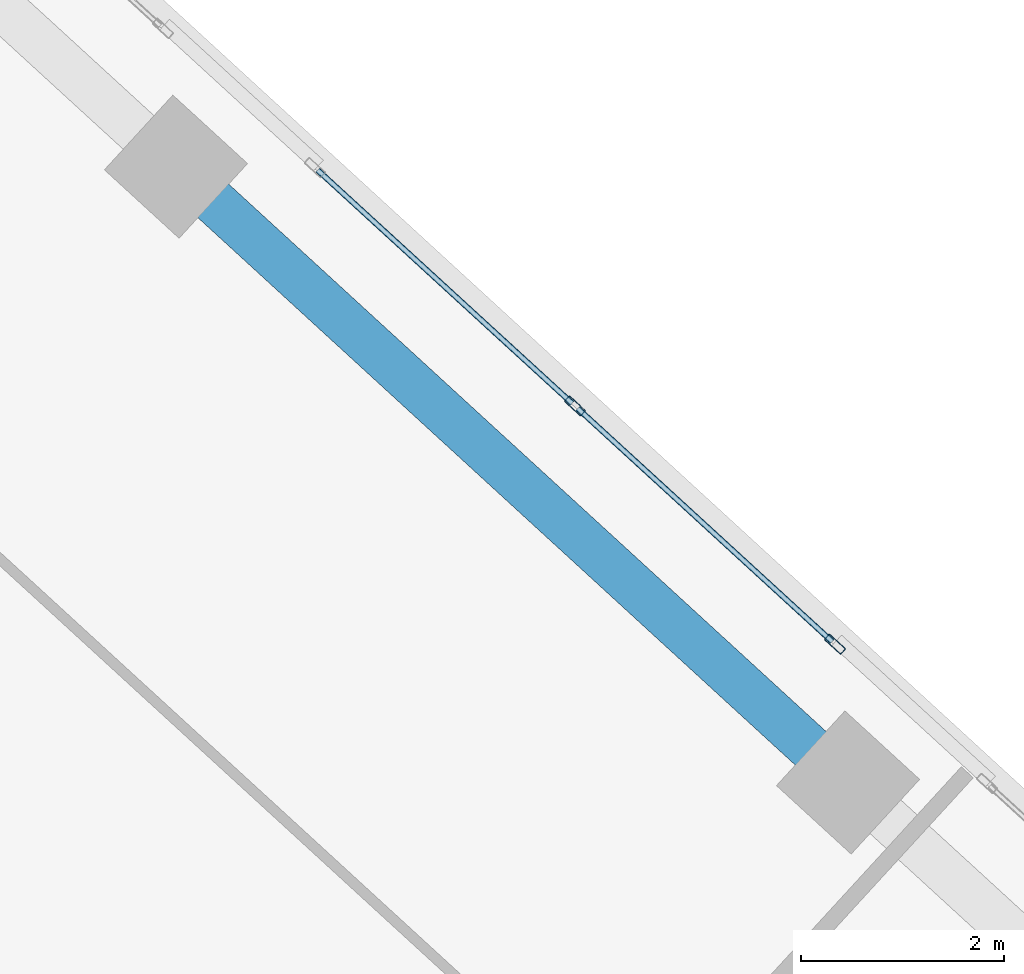
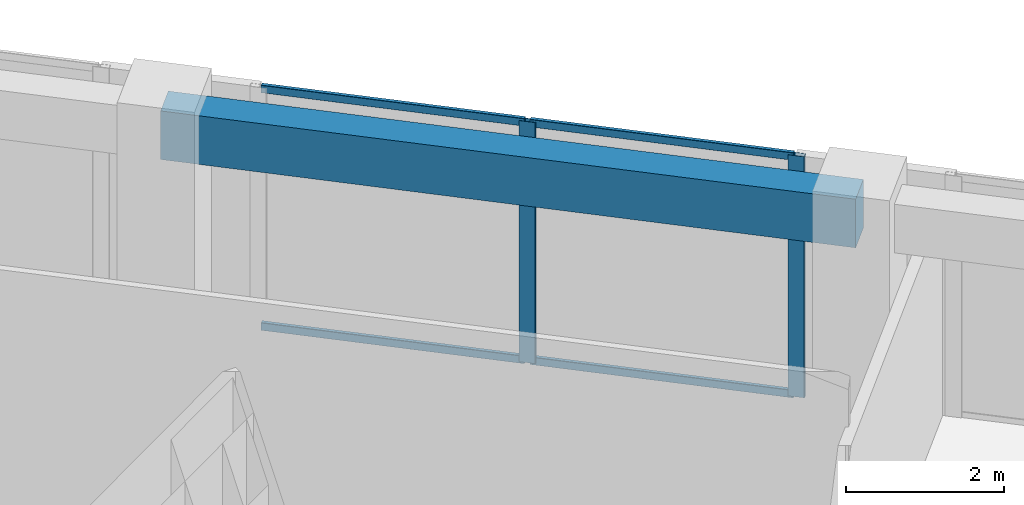
# One storey, part 12 of 18: 6 members, 1 beam, 1 element without a shape of its own.
"""IFC4 building model written with IfcOpenShell, lengths in metres."""

from ifc_helpers import new_model, si_unit, direction, frame, origin, origin_2d, place, context, subcontext, project, spatial, rectangle, hollow_rectangle, extrude, source, transform, mapped, material, material_profile, profile_set, type_object, element, aggregate, save


model = new_model("IFC4")

# Units and contexts
model_context = context("Model", 3, precision=1e-05, world=origin(), true_north=direction((0.0, 1.0)))
body_context = subcontext(model_context, "Body", "Model", "MODEL_VIEW")
ifc_project = project(units=[si_unit("LENGTHUNIT", "METRE"), si_unit("AREAUNIT", "SQUARE_METRE"), si_unit("VOLUMEUNIT", "CUBIC_METRE"), si_unit("PLANEANGLEUNIT", "RADIAN"), si_unit("MASSUNIT", "GRAM", prefix="KILO")], contexts=[model_context])

# Site, building, storey
site_placement = place(None, origin())
site = spatial("IfcSite", under=ifc_project, at=site_placement, CompositionType="ELEMENT")
building_placement = place(site_placement, origin())
building = spatial("IfcBuilding", under=site, at=building_placement, Name="Torre Montelarca", CompositionType="ELEMENT")
storey_placement = place(building_placement, frame((0.0, 0.0, 233.199951171875)))
storey = spatial("IfcBuildingStorey", under=building, at=storey_placement, Name="L52", CompositionType="ELEMENT", Elevation=233.199951171875)

# Beam
ifc_material_1 = material(Name="Concrete C55/67", Category="concrete")
ifc_material_profile_1 = material_profile(ifc_material_1, rectangle(XDim=0.449951171875, YDim=0.75, at=origin_2d()), Name="RCB450X750", Category="concrete")
ifc_profile_set_1 = profile_set([ifc_material_profile_1], Name="Concrete C55/67")
beam_type = type_object("IfcBeamType", Name="BM-SP-RC750-EXT", PredefinedType="SPANDREL", material=ifc_profile_set_1)
shared_shape_1 = source(origin(), body_context, "Body", "SweptSolid", [
    extrude(rectangle(XDim=0.449951171875, YDim=0.75, at=origin_2d()), origin(), (0.0, 0.0, 1.0), 8.999755859375),
])
beam_placement = place(storey_placement, frame((29.15478515625, 45.5341796875, 3.5849609375), z_axis=(0.737290375454, -0.675575978157, 0.0), x_axis=(0.675575978157, 0.737290375454, 0.0)))
element("IfcBeam", 1, at=beam_placement, inside=storey, type_object=beam_type, Name="L52 Grid Girder X 18.0-27.0 at Y=47.1", PredefinedType="SPANDREL", context=body_context, shape_type="MappedRepresentation", body=[
    mapped(shared_shape_1, transform((0.0, 0.0, 0.0), scale=1.0)),
])

# Curtain wall, members
ifc_material_2 = material(Name="Insulated low-E laminated glass", Category="glass")
curtain_wall_type = type_object("IfcCurtainWallType", Name="CW-SYS-Z3", PredefinedType="USERDEFINED", material=ifc_material_2)
curtain_wall_placement = place(storey_placement, origin())
curtain_wall = element("IfcCurtainWall", 2, at=curtain_wall_placement, inside=storey, type_object=curtain_wall_type, Name="L52 Curtain Wall Run CW-T3-L52-E08-B3", ObjectType="UNITISED GLAZING", PredefinedType="USERDEFINED")
ifc_material_3 = material(Name="Anodised aluminium AA 6063-T6", Category="aluminium")
ifc_material_profile_2 = material_profile(ifc_material_3, hollow_rectangle(XDim=0.054931640625, YDim=0.1201171875, WallThickness=0.00341796875, InnerFilletRadius=0.00341796875, OuterFilletRadius=0.007080078125, at=origin_2d()), Name="ALU55X120X3.5", Category="aluminium")
ifc_profile_set_2 = profile_set([ifc_material_profile_2], Name="Anodised aluminium AA 6063-T6")
member_type_1 = type_object("IfcMemberType", Name="CWT-ALU120", PredefinedType="USERDEFINED", material=ifc_profile_set_2)
shared_shape_2 = source(origin(), body_context, "Body", "SweptSolid", [
    extrude(hollow_rectangle(XDim=0.054931640625, YDim=0.1201171875, WallThickness=0.00341796875, InnerFilletRadius=0.00341796875, OuterFilletRadius=0.007080078125, at=origin_2d()), origin(), (0.0, 0.0, 1.0), 3.407470703125),
])
member_1_placement = place(storey_placement, frame((35.6337890625, 40.844970703125, 0.027587890625), z_axis=(-0.73724335405, 0.675627291418, 0.0), x_axis=(-0.675627291418, -0.73724335405, 0.0)))
member_1 = element("IfcMember", 3, at=member_1_placement, type_object=member_type_1, Name="CW transom 1.1", ObjectType="TRANSOM", PredefinedType="USERDEFINED", context=body_context, shape_type="MappedRepresentation", body=[
    mapped(shared_shape_2, transform((0.0, 0.0, 0.0), scale=1.0)),
])
member_2_placement = place(storey_placement, frame((35.6337890625, 40.844970703125, 3.692626953125), z_axis=(-0.73724335405, 0.675627291418, 0.0), x_axis=(-0.675627291418, -0.73724335405, 0.0)))
member_2 = element("IfcMember", 4, at=member_2_placement, type_object=member_type_1, Name="CW transom 1.2", ObjectType="TRANSOM", PredefinedType="USERDEFINED", context=body_context, shape_type="MappedRepresentation", body=[
    mapped(shared_shape_2, transform((0.0, 0.0, 0.0), scale=1.0)),
])
member_3_placement = place(storey_placement, frame((33.06640625, 43.19775390625, 0.027587890625), z_axis=(-0.737279042037, 0.675588346683, 0.0), x_axis=(-0.675588346683, -0.737279042037, 0.0)))
member_3 = element("IfcMember", 5, at=member_3_placement, type_object=member_type_1, Name="CW transom 2.1", ObjectType="TRANSOM", PredefinedType="USERDEFINED", context=body_context, shape_type="MappedRepresentation", body=[
    mapped(shared_shape_2, transform((0.0, 0.0, 0.0), scale=1.0)),
])
member_4_placement = place(storey_placement, frame((33.06640625, 43.19775390625, 3.692626953125), z_axis=(-0.737279042037, 0.675588346683, 0.0), x_axis=(-0.675588346683, -0.737279042037, 0.0)))
member_4 = element("IfcMember", 6, at=member_4_placement, type_object=member_type_1, Name="CW transom 2.2", ObjectType="TRANSOM", PredefinedType="USERDEFINED", context=body_context, shape_type="MappedRepresentation", body=[
    mapped(shared_shape_2, transform((0.0, 0.0, 0.0), scale=1.0)),
])
ifc_material_profile_3 = material_profile(ifc_material_3, hollow_rectangle(XDim=0.074951171875, YDim=0.219970703125, WallThickness=0.0048828125, InnerFilletRadius=0.0048828125, OuterFilletRadius=0.010009765625, at=origin_2d()), Name="ALU75X220X5", Category="aluminium")
ifc_profile_set_3 = profile_set([ifc_material_profile_3], Name="Anodised aluminium AA 6063-T6")
member_type_2 = type_object("IfcMemberType", Name="CWM-ALU220", PredefinedType="MULLION", material=ifc_profile_set_3)
shared_shape_3 = source(origin(), body_context, "Body", "SweptSolid", [
    extrude(hollow_rectangle(XDim=0.074951171875, YDim=0.219970703125, WallThickness=0.0048828125, InnerFilletRadius=0.0048828125, OuterFilletRadius=0.010009765625, at=origin_2d()), origin(), (0.0, 0.0, 1.0), 3.719970703125),
])
member_5_placement = place(storey_placement, frame((35.66162109375, 40.81982421875, 0.0), z_axis=(0.0, 0.0, 1.0), x_axis=(-0.67558825214, -0.737279128668, 0.0)))
member_5 = element("IfcMember", 7, at=member_5_placement, type_object=member_type_2, Name="CW mullion 1", PredefinedType="MULLION", context=body_context, shape_type="MappedRepresentation", body=[
    mapped(shared_shape_3, transform((0.0, 0.0, 0.0), scale=1.0)),
])
member_6_placement = place(storey_placement, frame((33.093994140625, 43.17236328125, 0.0), z_axis=(0.0, 0.0, 1.0), x_axis=(-0.67558825214, -0.737279128668, 0.0)))
member_6 = element("IfcMember", 8, at=member_6_placement, type_object=member_type_2, Name="CW mullion 2", PredefinedType="MULLION", context=body_context, shape_type="MappedRepresentation", body=[
    mapped(shared_shape_3, transform((0.0, 0.0, 0.0), scale=1.0)),
])
aggregate(curtain_wall, [member_5, member_6, member_1, member_2, member_3, member_4])

save(model, "model.ifc")
